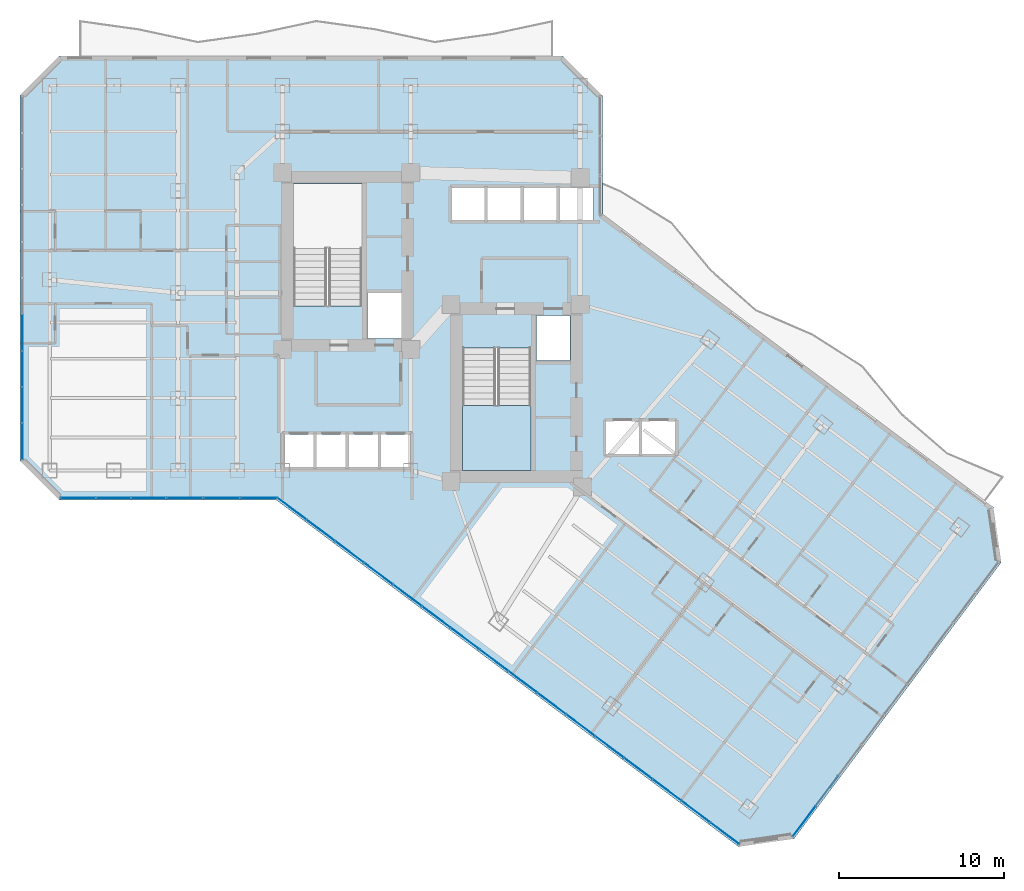
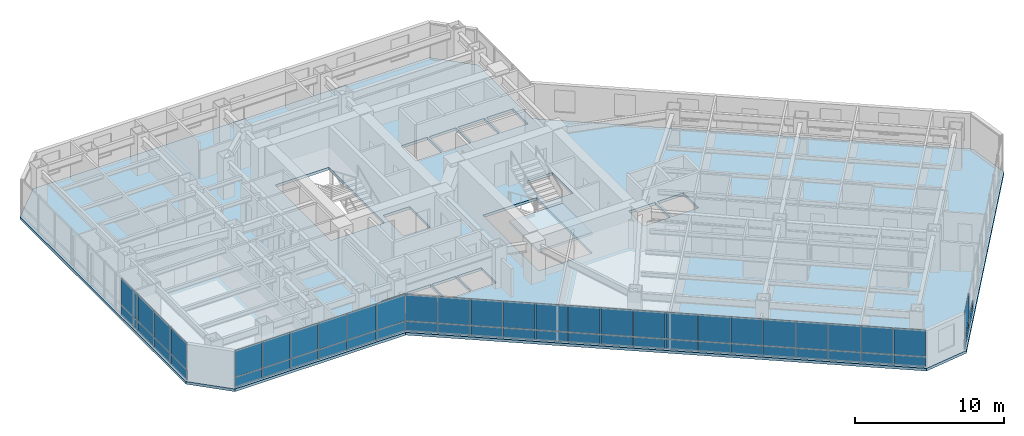
# One storey, part 26 of 36: 55 plates, 2 slabs, 6 elements without a shape of their own.
"""IFC4 building model written with IfcOpenShell, lengths in metres."""

from ifc_helpers import new_model, si_unit, direction, frame, origin, origin_2d, place, context, subcontext, project, spatial, polyline, rectangle, outline, extrude, material, layer, layer_set, type_object, element, aggregate, save


model = new_model("IFC4")

# Units and contexts
model_context = context("Model", 3, precision=1e-05, world=origin(), true_north=direction((0.0, 1.0)))
body_context = subcontext(model_context, "Body", "Model", "MODEL_VIEW")
ifc_project = project(units=[si_unit("LENGTHUNIT", "METRE"), si_unit("AREAUNIT", "SQUARE_METRE"), si_unit("VOLUMEUNIT", "CUBIC_METRE"), si_unit("PLANEANGLEUNIT", "RADIAN"), si_unit("MASSUNIT", "GRAM", prefix="KILO")], contexts=[model_context])

# Site, building, storey
site_placement = place(None, origin())
site = spatial("IfcSite", under=ifc_project, at=site_placement, CompositionType="ELEMENT")
building_placement = place(site_placement, origin())
building = spatial("IfcBuilding", under=site, at=building_placement, Name="Hatsunagi Terrace Concourse", CompositionType="ELEMENT")
storey_placement = place(building_placement, frame((0.0, 0.0, 88.0)))
storey = spatial("IfcBuildingStorey", under=building, at=storey_placement, Name="L23", CompositionType="ELEMENT", Elevation=88.0)

# Curtain wall, plates
ifc_material_1 = material(Name="Anodised Aluminium Alloy 6063-T5", Category="aluminium")
ifc_layer_1 = layer(ifc_material_1, 0.199951171875)
ifc_layer_set_1 = layer_set([ifc_layer_1], Name="HotelFacade_CW02")
curtain_wall_type = type_object("IfcCurtainWallType", Name="HotelFacade_CW02", PredefinedType="NOTDEFINED", material=ifc_layer_set_1)
curtain_wall_1_placement = place(storey_placement, origin())
curtain_wall_1 = element("IfcCurtainWall", 1, at=curtain_wall_1_placement, inside=storey, type_object=curtain_wall_type, Name="Unitised Curtain Wall CW-02 CW-L23-03", PredefinedType="NOTDEFINED")
ifc_material_2 = material(Name="Warm Terracotta Ceramic Spandrel Panel", Category="masonry")
ifc_layer_2 = layer(ifc_material_2, 0.031982421875)
ifc_layer_set_2 = layer_set([ifc_layer_2], Name="CurtainWallSpandrelPanel_32")
plate_type_1 = type_object("IfcPlateType", Name="CurtainWallSpandrelPanel_32", PredefinedType="SHEET", material=ifc_layer_set_2)
plate_1_placement = place(storey_placement, frame((58.65087890625, 5.735107421875, 0.030029296875), z_axis=(0.0, 0.0, 1.0), x_axis=(-0.599969314634, -0.800023013105, 0.0)))
plate_1 = element("IfcPlate", 2, at=plate_1_placement, type_object=plate_type_1, Name="Terracotta Spandrel Panel SPN-01", PredefinedType="SHEET", context=body_context, shape_type="SweptSolid", body=[
    extrude(rectangle(XDim=2.264892578125, YDim=0.031982421875, at=origin_2d()), origin(), (0.0, 0.0, 1.0), 0.7900390625),
])
plate_2_placement = place(storey_placement, frame((57.259033203125, 3.8779296875, 0.030029296875), z_axis=(0.0, 0.0, 1.0), x_axis=(-0.599969314634, -0.800023013105, 0.0)))
plate_2 = element("IfcPlate", 3, at=plate_2_placement, type_object=plate_type_1, Name="Terracotta Spandrel Panel SPN-01", PredefinedType="SHEET", context=body_context, shape_type="SweptSolid", body=[
    extrude(rectangle(XDim=2.264892578125, YDim=0.031982421875, at=origin_2d()), origin(), (0.0, 0.0, 1.0), 0.7900390625),
])

curtain_wall_2_placement = place(storey_placement, origin())
curtain_wall_2 = element("IfcCurtainWall", 4, at=curtain_wall_2_placement, inside=storey, type_object=curtain_wall_type, Name="Unitised Curtain Wall CW-02 CW-L23-05", PredefinedType="NOTDEFINED")
plate_3_placement = place(storey_placement, frame((52.44091796875, 3.14501953125, 0.030029296875), z_axis=(0.0, 0.0, 1.0), x_axis=(-0.800003116929, 0.599995844072, 0.0)))
plate_3 = element("IfcPlate", 5, at=plate_3_placement, type_object=plate_type_1, Name="Terracotta Spandrel Panel SPN-01", PredefinedType="SHEET", context=body_context, shape_type="SweptSolid", body=[
    extrude(rectangle(XDim=2.137939453125, YDim=0.031982421875, at=origin_2d()), origin(), (0.0, 0.0, 1.0), 0.7900390625),
])
plate_4_placement = place(storey_placement, frame((50.68603515625, 4.4609375, 0.030029296875), z_axis=(0.0, 0.0, 1.0), x_axis=(-0.800003116929, 0.599995844072, 0.0)))
plate_4 = element("IfcPlate", 6, at=plate_4_placement, type_object=plate_type_1, Name="Terracotta Spandrel Panel SPN-01", PredefinedType="SHEET", context=body_context, shape_type="SweptSolid", body=[
    extrude(rectangle(XDim=2.137939453125, YDim=0.031982421875, at=origin_2d()), origin(), (0.0, 0.0, 1.0), 0.7900390625),
])
plate_5_placement = place(storey_placement, frame((48.931884765625, 5.777099609375, 0.030029296875), z_axis=(0.0, 0.0, 1.0), x_axis=(-0.800003116929, 0.599995844072, 0.0)))
plate_5 = element("IfcPlate", 7, at=plate_5_placement, type_object=plate_type_1, Name="Terracotta Spandrel Panel SPN-01", PredefinedType="SHEET", context=body_context, shape_type="SweptSolid", body=[
    extrude(rectangle(XDim=2.137939453125, YDim=0.031982421875, at=origin_2d()), origin(), (0.0, 0.0, 1.0), 0.7900390625),
])
plate_6_placement = place(storey_placement, frame((47.177001953125, 7.092041015625, 0.030029296875), z_axis=(0.0, 0.0, 1.0), x_axis=(-0.800003116929, 0.599995844072, 0.0)))
plate_6 = element("IfcPlate", 8, at=plate_6_placement, type_object=plate_type_1, Name="Terracotta Spandrel Panel SPN-01", PredefinedType="SHEET", context=body_context, shape_type="SweptSolid", body=[
    extrude(rectangle(XDim=2.137939453125, YDim=0.031982421875, at=origin_2d()), origin(), (0.0, 0.0, 1.0), 0.7900390625),
])
plate_7_placement = place(storey_placement, frame((45.423095703125, 8.407958984375, 0.030029296875), z_axis=(0.0, 0.0, 1.0), x_axis=(-0.800003116929, 0.599995844072, 0.0)))
plate_7 = element("IfcPlate", 9, at=plate_7_placement, type_object=plate_type_1, Name="Terracotta Spandrel Panel SPN-01", PredefinedType="SHEET", context=body_context, shape_type="SweptSolid", body=[
    extrude(rectangle(XDim=2.137939453125, YDim=0.031982421875, at=origin_2d()), origin(), (0.0, 0.0, 1.0), 0.7900390625),
])
plate_8_placement = place(storey_placement, frame((43.6689453125, 9.72412109375, 0.030029296875), z_axis=(0.0, 0.0, 1.0), x_axis=(-0.800003116929, 0.599995844072, 0.0)))
plate_8 = element("IfcPlate", 10, at=plate_8_placement, type_object=plate_type_1, Name="Terracotta Spandrel Panel SPN-01", PredefinedType="SHEET", context=body_context, shape_type="SweptSolid", body=[
    extrude(rectangle(XDim=2.137939453125, YDim=0.031982421875, at=origin_2d()), origin(), (0.0, 0.0, 1.0), 0.7900390625),
])
plate_9_placement = place(storey_placement, frame((41.9140625, 11.0400390625, 0.030029296875), z_axis=(0.0, 0.0, 1.0), x_axis=(-0.800003116929, 0.599995844072, 0.0)))
plate_9 = element("IfcPlate", 11, at=plate_9_placement, type_object=plate_type_1, Name="Terracotta Spandrel Panel SPN-01", PredefinedType="SHEET", context=body_context, shape_type="SweptSolid", body=[
    extrude(rectangle(XDim=2.137939453125, YDim=0.031982421875, at=origin_2d()), origin(), (0.0, 0.0, 1.0), 0.7900390625),
])
plate_10_placement = place(storey_placement, frame((40.159912109375, 12.35595703125, 0.030029296875), z_axis=(0.0, 0.0, 1.0), x_axis=(-0.800003116929, 0.599995844072, 0.0)))
plate_10 = element("IfcPlate", 12, at=plate_10_placement, type_object=plate_type_1, Name="Terracotta Spandrel Panel SPN-01", PredefinedType="SHEET", context=body_context, shape_type="SweptSolid", body=[
    extrude(rectangle(XDim=2.137939453125, YDim=0.031982421875, at=origin_2d()), origin(), (0.0, 0.0, 1.0), 0.7900390625),
])
plate_11_placement = place(storey_placement, frame((38.405029296875, 13.6708984375, 0.030029296875), z_axis=(0.0, 0.0, 1.0), x_axis=(-0.800003116929, 0.599995844072, 0.0)))
plate_11 = element("IfcPlate", 13, at=plate_11_placement, type_object=plate_type_1, Name="Terracotta Spandrel Panel SPN-01", PredefinedType="SHEET", context=body_context, shape_type="SweptSolid", body=[
    extrude(rectangle(XDim=2.137939453125, YDim=0.031982421875, at=origin_2d()), origin(), (0.0, 0.0, 1.0), 0.7900390625),
])
plate_12_placement = place(storey_placement, frame((36.65087890625, 14.987060546875, 0.030029296875), z_axis=(0.0, 0.0, 1.0), x_axis=(-0.800003116929, 0.599995844072, 0.0)))
plate_12 = element("IfcPlate", 14, at=plate_12_placement, type_object=plate_type_1, Name="Terracotta Spandrel Panel SPN-01", PredefinedType="SHEET", context=body_context, shape_type="SweptSolid", body=[
    extrude(rectangle(XDim=2.137939453125, YDim=0.031982421875, at=origin_2d()), origin(), (0.0, 0.0, 1.0), 0.7900390625),
])
plate_13_placement = place(storey_placement, frame((34.89599609375, 16.302978515625, 0.030029296875), z_axis=(0.0, 0.0, 1.0), x_axis=(-0.800003116929, 0.599995844072, 0.0)))
plate_13 = element("IfcPlate", 15, at=plate_13_placement, type_object=plate_type_1, Name="Terracotta Spandrel Panel SPN-01", PredefinedType="SHEET", context=body_context, shape_type="SweptSolid", body=[
    extrude(rectangle(XDim=2.137939453125, YDim=0.031982421875, at=origin_2d()), origin(), (0.0, 0.0, 1.0), 0.7900390625),
])
plate_14_placement = place(storey_placement, frame((33.14208984375, 17.618896484375, 0.030029296875), z_axis=(0.0, 0.0, 1.0), x_axis=(-0.800003116929, 0.599995844072, 0.0)))
plate_14 = element("IfcPlate", 16, at=plate_14_placement, type_object=plate_type_1, Name="Terracotta Spandrel Panel SPN-01", PredefinedType="SHEET", context=body_context, shape_type="SweptSolid", body=[
    extrude(rectangle(XDim=2.137939453125, YDim=0.031982421875, at=origin_2d()), origin(), (0.0, 0.0, 1.0), 0.7900390625),
])
plate_15_placement = place(storey_placement, frame((31.387939453125, 18.93505859375, 0.030029296875), z_axis=(0.0, 0.0, 1.0), x_axis=(-0.800003116929, 0.599995844072, 0.0)))
plate_15 = element("IfcPlate", 17, at=plate_15_placement, type_object=plate_type_1, Name="Terracotta Spandrel Panel SPN-01", PredefinedType="SHEET", context=body_context, shape_type="SweptSolid", body=[
    extrude(rectangle(XDim=2.137939453125, YDim=0.031982421875, at=origin_2d()), origin(), (0.0, 0.0, 1.0), 0.7900390625),
])
plate_16_placement = place(storey_placement, frame((29.633056640625, 20.25, 0.030029296875), z_axis=(0.0, 0.0, 1.0), x_axis=(-0.800003116929, 0.599995844072, 0.0)))
plate_16 = element("IfcPlate", 18, at=plate_16_placement, type_object=plate_type_1, Name="Terracotta Spandrel Panel SPN-01", PredefinedType="SHEET", context=body_context, shape_type="SweptSolid", body=[
    extrude(rectangle(XDim=2.137939453125, YDim=0.031982421875, at=origin_2d()), origin(), (0.0, 0.0, 1.0), 0.7900390625),
])
plate_17_placement = place(storey_placement, frame((27.87890625, 21.56591796875, 0.030029296875), z_axis=(0.0, 0.0, 1.0), x_axis=(-0.800003116929, 0.599995844072, 0.0)))
plate_17 = element("IfcPlate", 19, at=plate_17_placement, type_object=plate_type_1, Name="Terracotta Spandrel Panel SPN-01", PredefinedType="SHEET", context=body_context, shape_type="SweptSolid", body=[
    extrude(rectangle(XDim=2.137939453125, YDim=0.031982421875, at=origin_2d()), origin(), (0.0, 0.0, 1.0), 0.7900390625),
])
plate_18_placement = place(storey_placement, frame((26.1240234375, 22.882080078125, 0.030029296875), z_axis=(0.0, 0.0, 1.0), x_axis=(-0.800003116929, 0.599995844072, 0.0)))
plate_18 = element("IfcPlate", 20, at=plate_18_placement, type_object=plate_type_1, Name="Terracotta Spandrel Panel SPN-01", PredefinedType="SHEET", context=body_context, shape_type="SweptSolid", body=[
    extrude(rectangle(XDim=2.137939453125, YDim=0.031982421875, at=origin_2d()), origin(), (0.0, 0.0, 1.0), 0.7900390625),
])

curtain_wall_3_placement = place(storey_placement, origin())
curtain_wall_3 = element("IfcCurtainWall", 21, at=curtain_wall_3_placement, inside=storey, type_object=curtain_wall_type, Name="Unitised Curtain Wall CW-02 CW-L23-06", PredefinedType="NOTDEFINED")
plate_19_placement = place(storey_placement, frame((24.1220703125, 23.5400390625, 0.030029296875), z_axis=(0.0, 0.0, 1.0), x_axis=(-1.0, 0.0, 0.0)))
plate_19 = element("IfcPlate", 22, at=plate_19_placement, type_object=plate_type_1, Name="Terracotta Spandrel Panel SPN-01", PredefinedType="SHEET", context=body_context, shape_type="SweptSolid", body=[
    extrude(rectangle(XDim=2.194091796875, YDim=0.031982421875, at=origin_2d()), origin(), (0.0, 0.0, 1.0), 0.7900390625),
])
plate_20_placement = place(storey_placement, frame((21.873046875, 23.5400390625, 0.030029296875), z_axis=(0.0, 0.0, 1.0), x_axis=(-1.0, 0.0, 0.0)))
plate_20 = element("IfcPlate", 23, at=plate_20_placement, type_object=plate_type_1, Name="Terracotta Spandrel Panel SPN-01", PredefinedType="SHEET", context=body_context, shape_type="SweptSolid", body=[
    extrude(rectangle(XDim=2.194091796875, YDim=0.031982421875, at=origin_2d()), origin(), (0.0, 0.0, 1.0), 0.7900390625),
])
plate_21_placement = place(storey_placement, frame((19.6240234375, 23.5400390625, 0.030029296875), z_axis=(0.0, 0.0, 1.0), x_axis=(-1.0, 0.0, 0.0)))
plate_21 = element("IfcPlate", 24, at=plate_21_placement, type_object=plate_type_1, Name="Terracotta Spandrel Panel SPN-01", PredefinedType="SHEET", context=body_context, shape_type="SweptSolid", body=[
    extrude(rectangle(XDim=2.194091796875, YDim=0.031982421875, at=origin_2d()), origin(), (0.0, 0.0, 1.0), 0.7900390625),
])

curtain_wall_4_placement = place(storey_placement, origin())
curtain_wall_4 = element("IfcCurtainWall", 25, at=curtain_wall_4_placement, inside=storey, type_object=curtain_wall_type, Name="Unitised Curtain Wall CW-02 CW-L23-07", PredefinedType="NOTDEFINED")
plate_22_placement = place(storey_placement, frame((17.426025390625, 23.5400390625, 0.030029296875), z_axis=(0.0, 0.0, 1.0), x_axis=(-1.0, 0.0, 0.0)))
plate_22 = element("IfcPlate", 26, at=plate_22_placement, type_object=plate_type_1, Name="Terracotta Spandrel Panel SPN-01", PredefinedType="SHEET", context=body_context, shape_type="SweptSolid", body=[
    extrude(rectangle(XDim=2.092041015625, YDim=0.031982421875, at=origin_2d()), origin(), (0.0, 0.0, 1.0), 0.7900390625),
])
plate_23_placement = place(storey_placement, frame((15.279052734375, 23.5400390625, 0.030029296875), z_axis=(0.0, 0.0, 1.0), x_axis=(-1.0, 0.0, 0.0)))
plate_23 = element("IfcPlate", 27, at=plate_23_placement, type_object=plate_type_1, Name="Terracotta Spandrel Panel SPN-01", PredefinedType="SHEET", context=body_context, shape_type="SweptSolid", body=[
    extrude(rectangle(XDim=2.092041015625, YDim=0.031982421875, at=origin_2d()), origin(), (0.0, 0.0, 1.0), 0.7900390625),
])
plate_24_placement = place(storey_placement, frame((13.132080078125, 23.5400390625, 0.030029296875), z_axis=(0.0, 0.0, 1.0), x_axis=(-1.0, 0.0, 0.0)))
plate_24 = element("IfcPlate", 28, at=plate_24_placement, type_object=plate_type_1, Name="Terracotta Spandrel Panel SPN-01", PredefinedType="SHEET", context=body_context, shape_type="SweptSolid", body=[
    extrude(rectangle(XDim=2.092041015625, YDim=0.031982421875, at=origin_2d()), origin(), (0.0, 0.0, 1.0), 0.7900390625),
])

curtain_wall_5_placement = place(storey_placement, origin())
curtain_wall_5 = element("IfcCurtainWall", 29, at=curtain_wall_5_placement, inside=storey, type_object=curtain_wall_type, Name="Unitised Curtain Wall CW-02 CW-L23-09", PredefinedType="NOTDEFINED")
plate_25_placement = place(storey_placement, frame((9.739990234375, 26.9619140625, 0.030029296875), z_axis=(0.0, 0.0, 1.0), x_axis=(0.0, 1.0, 0.0)))
plate_25 = element("IfcPlate", 30, at=plate_25_placement, type_object=plate_type_1, Name="Terracotta Spandrel Panel SPN-01", PredefinedType="SHEET", context=body_context, shape_type="SweptSolid", body=[
    extrude(rectangle(XDim=2.153076171875, YDim=0.031982421875, at=origin_2d()), origin(), (0.0, 0.0, 1.0), 0.7900390625),
])
plate_26_placement = place(storey_placement, frame((9.739990234375, 29.1708984375, 0.030029296875), z_axis=(0.0, 0.0, 1.0), x_axis=(0.0, 1.0, 0.0)))
plate_26 = element("IfcPlate", 31, at=plate_26_placement, type_object=plate_type_1, Name="Terracotta Spandrel Panel SPN-01", PredefinedType="SHEET", context=body_context, shape_type="SweptSolid", body=[
    extrude(rectangle(XDim=2.153076171875, YDim=0.031982421875, at=origin_2d()), origin(), (0.0, 0.0, 1.0), 0.7900390625),
])
plate_27_placement = place(storey_placement, frame((9.739990234375, 31.37890625, 0.030029296875), z_axis=(0.0, 0.0, 1.0), x_axis=(0.0, 1.0, 0.0)))
plate_27 = element("IfcPlate", 32, at=plate_27_placement, type_object=plate_type_1, Name="Terracotta Spandrel Panel SPN-01", PredefinedType="SHEET", context=body_context, shape_type="SweptSolid", body=[
    extrude(rectangle(XDim=2.153076171875, YDim=0.031982421875, at=origin_2d()), origin(), (0.0, 0.0, 1.0), 0.7900390625),
])
plate_28_placement = place(storey_placement, frame((9.739990234375, 33.5869140625, 0.030029296875), z_axis=(0.0, 0.0, 1.0), x_axis=(0.0, 1.0, 0.0)))
plate_28 = element("IfcPlate", 33, at=plate_28_placement, type_object=plate_type_1, Name="Terracotta Spandrel Panel SPN-01", PredefinedType="SHEET", context=body_context, shape_type="SweptSolid", body=[
    extrude(rectangle(XDim=2.153076171875, YDim=0.031982421875, at=origin_2d()), origin(), (0.0, 0.0, 1.0), 0.7900390625),
])

# Plate
ifc_material_3 = material(Name="Low-E Double Insulating Glass 28mm", Category="glass")
ifc_layer_3 = layer(ifc_material_3, 0.028076171875)
ifc_layer_set_3 = layer_set([ifc_layer_3], Name="CurtainWallVisionGlass_28")
plate_type_2 = type_object("IfcPlateType", Name="CurtainWallVisionGlass_28", PredefinedType="CURTAIN_PANEL", material=ifc_layer_set_3)
plate_29_placement = place(storey_placement, frame((57.259033203125, 3.8779296875, 0.8798828125), z_axis=(0.0, 0.0, 1.0), x_axis=(-0.599969314634, -0.800023013105, 0.0)))
plate_29 = element("IfcPlate", 34, at=plate_29_placement, type_object=plate_type_2, Name="Low-E Vision Glass Panel GLZ-01", PredefinedType="CURTAIN_PANEL", context=body_context, shape_type="SweptSolid", body=[
    extrude(rectangle(XDim=2.264892578125, YDim=0.028076171875, at=origin_2d()), origin(), (0.0, 0.0, 1.0), 2.139892578125),
])

aggregate(curtain_wall_1, [plate_1, plate_2, plate_29])

plate_30_placement = place(storey_placement, frame((52.44091796875, 3.14501953125, 0.8798828125), z_axis=(0.0, 0.0, 1.0), x_axis=(-0.800003116929, 0.599995844072, 0.0)))
plate_30 = element("IfcPlate", 35, at=plate_30_placement, type_object=plate_type_2, Name="Low-E Vision Glass Panel GLZ-01", PredefinedType="CURTAIN_PANEL", context=body_context, shape_type="SweptSolid", body=[
    extrude(rectangle(XDim=2.137939453125, YDim=0.028076171875, at=origin_2d()), origin(), (0.0, 0.0, 1.0), 2.139892578125),
])

plate_31_placement = place(storey_placement, frame((50.68603515625, 4.4609375, 0.8798828125), z_axis=(0.0, 0.0, 1.0), x_axis=(-0.800003116929, 0.599995844072, 0.0)))
plate_31 = element("IfcPlate", 36, at=plate_31_placement, type_object=plate_type_2, Name="Low-E Vision Glass Panel GLZ-01", PredefinedType="CURTAIN_PANEL", context=body_context, shape_type="SweptSolid", body=[
    extrude(rectangle(XDim=2.137939453125, YDim=0.028076171875, at=origin_2d()), origin(), (0.0, 0.0, 1.0), 2.139892578125),
])

plate_32_placement = place(storey_placement, frame((48.931884765625, 5.777099609375, 0.8798828125), z_axis=(0.0, 0.0, 1.0), x_axis=(-0.800003116929, 0.599995844072, 0.0)))
plate_32 = element("IfcPlate", 37, at=plate_32_placement, type_object=plate_type_2, Name="Low-E Vision Glass Panel GLZ-01", PredefinedType="CURTAIN_PANEL", context=body_context, shape_type="SweptSolid", body=[
    extrude(rectangle(XDim=2.137939453125, YDim=0.028076171875, at=origin_2d()), origin(), (0.0, 0.0, 1.0), 2.139892578125),
])

plate_33_placement = place(storey_placement, frame((47.177001953125, 7.092041015625, 0.8798828125), z_axis=(0.0, 0.0, 1.0), x_axis=(-0.800003116929, 0.599995844072, 0.0)))
plate_33 = element("IfcPlate", 38, at=plate_33_placement, type_object=plate_type_2, Name="Low-E Vision Glass Panel GLZ-01", PredefinedType="CURTAIN_PANEL", context=body_context, shape_type="SweptSolid", body=[
    extrude(rectangle(XDim=2.137939453125, YDim=0.028076171875, at=origin_2d()), origin(), (0.0, 0.0, 1.0), 2.139892578125),
])

plate_34_placement = place(storey_placement, frame((45.423095703125, 8.407958984375, 0.8798828125), z_axis=(0.0, 0.0, 1.0), x_axis=(-0.800003116929, 0.599995844072, 0.0)))
plate_34 = element("IfcPlate", 39, at=plate_34_placement, type_object=plate_type_2, Name="Low-E Vision Glass Panel GLZ-01", PredefinedType="CURTAIN_PANEL", context=body_context, shape_type="SweptSolid", body=[
    extrude(rectangle(XDim=2.137939453125, YDim=0.028076171875, at=origin_2d()), origin(), (0.0, 0.0, 1.0), 2.139892578125),
])

plate_35_placement = place(storey_placement, frame((43.6689453125, 9.72412109375, 0.8798828125), z_axis=(0.0, 0.0, 1.0), x_axis=(-0.800003116929, 0.599995844072, 0.0)))
plate_35 = element("IfcPlate", 40, at=plate_35_placement, type_object=plate_type_2, Name="Low-E Vision Glass Panel GLZ-01", PredefinedType="CURTAIN_PANEL", context=body_context, shape_type="SweptSolid", body=[
    extrude(rectangle(XDim=2.137939453125, YDim=0.028076171875, at=origin_2d()), origin(), (0.0, 0.0, 1.0), 2.139892578125),
])

plate_36_placement = place(storey_placement, frame((41.9140625, 11.0400390625, 0.8798828125), z_axis=(0.0, 0.0, 1.0), x_axis=(-0.800003116929, 0.599995844072, 0.0)))
plate_36 = element("IfcPlate", 41, at=plate_36_placement, type_object=plate_type_2, Name="Low-E Vision Glass Panel GLZ-01", PredefinedType="CURTAIN_PANEL", context=body_context, shape_type="SweptSolid", body=[
    extrude(rectangle(XDim=2.137939453125, YDim=0.028076171875, at=origin_2d()), origin(), (0.0, 0.0, 1.0), 2.139892578125),
])

plate_37_placement = place(storey_placement, frame((40.159912109375, 12.35595703125, 0.8798828125), z_axis=(0.0, 0.0, 1.0), x_axis=(-0.800003116929, 0.599995844072, 0.0)))
plate_37 = element("IfcPlate", 42, at=plate_37_placement, type_object=plate_type_2, Name="Low-E Vision Glass Panel GLZ-01", PredefinedType="CURTAIN_PANEL", context=body_context, shape_type="SweptSolid", body=[
    extrude(rectangle(XDim=2.137939453125, YDim=0.028076171875, at=origin_2d()), origin(), (0.0, 0.0, 1.0), 2.139892578125),
])

plate_38_placement = place(storey_placement, frame((38.405029296875, 13.6708984375, 0.8798828125), z_axis=(0.0, 0.0, 1.0), x_axis=(-0.800003116929, 0.599995844072, 0.0)))
plate_38 = element("IfcPlate", 43, at=plate_38_placement, type_object=plate_type_2, Name="Low-E Vision Glass Panel GLZ-01", PredefinedType="CURTAIN_PANEL", context=body_context, shape_type="SweptSolid", body=[
    extrude(rectangle(XDim=2.137939453125, YDim=0.028076171875, at=origin_2d()), origin(), (0.0, 0.0, 1.0), 2.139892578125),
])

plate_39_placement = place(storey_placement, frame((36.65087890625, 14.987060546875, 0.8798828125), z_axis=(0.0, 0.0, 1.0), x_axis=(-0.800003116929, 0.599995844072, 0.0)))
plate_39 = element("IfcPlate", 44, at=plate_39_placement, type_object=plate_type_2, Name="Low-E Vision Glass Panel GLZ-01", PredefinedType="CURTAIN_PANEL", context=body_context, shape_type="SweptSolid", body=[
    extrude(rectangle(XDim=2.137939453125, YDim=0.028076171875, at=origin_2d()), origin(), (0.0, 0.0, 1.0), 2.139892578125),
])

plate_40_placement = place(storey_placement, frame((34.89599609375, 16.302978515625, 0.8798828125), z_axis=(0.0, 0.0, 1.0), x_axis=(-0.800003116929, 0.599995844072, 0.0)))
plate_40 = element("IfcPlate", 45, at=plate_40_placement, type_object=plate_type_2, Name="Low-E Vision Glass Panel GLZ-01", PredefinedType="CURTAIN_PANEL", context=body_context, shape_type="SweptSolid", body=[
    extrude(rectangle(XDim=2.137939453125, YDim=0.028076171875, at=origin_2d()), origin(), (0.0, 0.0, 1.0), 2.139892578125),
])

plate_41_placement = place(storey_placement, frame((33.14208984375, 17.618896484375, 0.8798828125), z_axis=(0.0, 0.0, 1.0), x_axis=(-0.800003116929, 0.599995844072, 0.0)))
plate_41 = element("IfcPlate", 46, at=plate_41_placement, type_object=plate_type_2, Name="Low-E Vision Glass Panel GLZ-01", PredefinedType="CURTAIN_PANEL", context=body_context, shape_type="SweptSolid", body=[
    extrude(rectangle(XDim=2.137939453125, YDim=0.028076171875, at=origin_2d()), origin(), (0.0, 0.0, 1.0), 2.139892578125),
])

plate_42_placement = place(storey_placement, frame((31.387939453125, 18.93505859375, 0.8798828125), z_axis=(0.0, 0.0, 1.0), x_axis=(-0.800003116929, 0.599995844072, 0.0)))
plate_42 = element("IfcPlate", 47, at=plate_42_placement, type_object=plate_type_2, Name="Low-E Vision Glass Panel GLZ-01", PredefinedType="CURTAIN_PANEL", context=body_context, shape_type="SweptSolid", body=[
    extrude(rectangle(XDim=2.137939453125, YDim=0.028076171875, at=origin_2d()), origin(), (0.0, 0.0, 1.0), 2.139892578125),
])

plate_43_placement = place(storey_placement, frame((29.633056640625, 20.25, 0.8798828125), z_axis=(0.0, 0.0, 1.0), x_axis=(-0.800003116929, 0.599995844072, 0.0)))
plate_43 = element("IfcPlate", 48, at=plate_43_placement, type_object=plate_type_2, Name="Low-E Vision Glass Panel GLZ-01", PredefinedType="CURTAIN_PANEL", context=body_context, shape_type="SweptSolid", body=[
    extrude(rectangle(XDim=2.137939453125, YDim=0.028076171875, at=origin_2d()), origin(), (0.0, 0.0, 1.0), 2.139892578125),
])

plate_44_placement = place(storey_placement, frame((27.87890625, 21.56591796875, 0.8798828125), z_axis=(0.0, 0.0, 1.0), x_axis=(-0.800003116929, 0.599995844072, 0.0)))
plate_44 = element("IfcPlate", 49, at=plate_44_placement, type_object=plate_type_2, Name="Low-E Vision Glass Panel GLZ-01", PredefinedType="CURTAIN_PANEL", context=body_context, shape_type="SweptSolid", body=[
    extrude(rectangle(XDim=2.137939453125, YDim=0.028076171875, at=origin_2d()), origin(), (0.0, 0.0, 1.0), 2.139892578125),
])

plate_45_placement = place(storey_placement, frame((26.1240234375, 22.882080078125, 0.8798828125), z_axis=(0.0, 0.0, 1.0), x_axis=(-0.800003116929, 0.599995844072, 0.0)))
plate_45 = element("IfcPlate", 50, at=plate_45_placement, type_object=plate_type_2, Name="Low-E Vision Glass Panel GLZ-01", PredefinedType="CURTAIN_PANEL", context=body_context, shape_type="SweptSolid", body=[
    extrude(rectangle(XDim=2.137939453125, YDim=0.028076171875, at=origin_2d()), origin(), (0.0, 0.0, 1.0), 2.139892578125),
])

aggregate(curtain_wall_2, [plate_3, plate_30, plate_4, plate_31, plate_5, plate_32, plate_6, plate_33, plate_7, plate_34, plate_8, plate_35, plate_9, plate_36, plate_10, plate_37, plate_11, plate_38, plate_12, plate_39, plate_13, plate_40, plate_14, plate_41, plate_15, plate_42, plate_16, plate_43, plate_17, plate_44, plate_18, plate_45])

plate_46_placement = place(storey_placement, frame((24.1220703125, 23.5400390625, 0.8798828125), z_axis=(0.0, 0.0, 1.0), x_axis=(-1.0, 0.0, 0.0)))
plate_46 = element("IfcPlate", 51, at=plate_46_placement, type_object=plate_type_2, Name="Low-E Vision Glass Panel GLZ-01", PredefinedType="CURTAIN_PANEL", context=body_context, shape_type="SweptSolid", body=[
    extrude(rectangle(XDim=2.194091796875, YDim=0.028076171875, at=origin_2d()), origin(), (0.0, 0.0, 1.0), 2.139892578125),
])

plate_47_placement = place(storey_placement, frame((21.873046875, 23.5400390625, 0.8798828125), z_axis=(0.0, 0.0, 1.0), x_axis=(-1.0, 0.0, 0.0)))
plate_47 = element("IfcPlate", 52, at=plate_47_placement, type_object=plate_type_2, Name="Low-E Vision Glass Panel GLZ-01", PredefinedType="CURTAIN_PANEL", context=body_context, shape_type="SweptSolid", body=[
    extrude(rectangle(XDim=2.194091796875, YDim=0.028076171875, at=origin_2d()), origin(), (0.0, 0.0, 1.0), 2.139892578125),
])

plate_48_placement = place(storey_placement, frame((19.6240234375, 23.5400390625, 0.8798828125), z_axis=(0.0, 0.0, 1.0), x_axis=(-1.0, 0.0, 0.0)))
plate_48 = element("IfcPlate", 53, at=plate_48_placement, type_object=plate_type_2, Name="Low-E Vision Glass Panel GLZ-01", PredefinedType="CURTAIN_PANEL", context=body_context, shape_type="SweptSolid", body=[
    extrude(rectangle(XDim=2.194091796875, YDim=0.028076171875, at=origin_2d()), origin(), (0.0, 0.0, 1.0), 2.139892578125),
])

aggregate(curtain_wall_3, [plate_19, plate_46, plate_20, plate_47, plate_21, plate_48])

plate_49_placement = place(storey_placement, frame((17.426025390625, 23.5400390625, 0.8798828125), z_axis=(0.0, 0.0, 1.0), x_axis=(-1.0, 0.0, 0.0)))
plate_49 = element("IfcPlate", 54, at=plate_49_placement, type_object=plate_type_2, Name="Low-E Vision Glass Panel GLZ-01", PredefinedType="CURTAIN_PANEL", context=body_context, shape_type="SweptSolid", body=[
    extrude(rectangle(XDim=2.092041015625, YDim=0.028076171875, at=origin_2d()), origin(), (0.0, 0.0, 1.0), 2.139892578125),
])

plate_50_placement = place(storey_placement, frame((15.279052734375, 23.5400390625, 0.8798828125), z_axis=(0.0, 0.0, 1.0), x_axis=(-1.0, 0.0, 0.0)))
plate_50 = element("IfcPlate", 55, at=plate_50_placement, type_object=plate_type_2, Name="Low-E Vision Glass Panel GLZ-01", PredefinedType="CURTAIN_PANEL", context=body_context, shape_type="SweptSolid", body=[
    extrude(rectangle(XDim=2.092041015625, YDim=0.028076171875, at=origin_2d()), origin(), (0.0, 0.0, 1.0), 2.139892578125),
])

plate_51_placement = place(storey_placement, frame((13.132080078125, 23.5400390625, 0.8798828125), z_axis=(0.0, 0.0, 1.0), x_axis=(-1.0, 0.0, 0.0)))
plate_51 = element("IfcPlate", 56, at=plate_51_placement, type_object=plate_type_2, Name="Low-E Vision Glass Panel GLZ-01", PredefinedType="CURTAIN_PANEL", context=body_context, shape_type="SweptSolid", body=[
    extrude(rectangle(XDim=2.092041015625, YDim=0.028076171875, at=origin_2d()), origin(), (0.0, 0.0, 1.0), 2.139892578125),
])

aggregate(curtain_wall_4, [plate_22, plate_49, plate_23, plate_50, plate_24, plate_51])

plate_52_placement = place(storey_placement, frame((9.739990234375, 26.9619140625, 0.8798828125), z_axis=(0.0, 0.0, 1.0), x_axis=(0.0, 1.0, 0.0)))
plate_52 = element("IfcPlate", 57, at=plate_52_placement, type_object=plate_type_2, Name="Low-E Vision Glass Panel GLZ-01", PredefinedType="CURTAIN_PANEL", context=body_context, shape_type="SweptSolid", body=[
    extrude(rectangle(XDim=2.153076171875, YDim=0.028076171875, at=origin_2d()), origin(), (0.0, 0.0, 1.0), 2.139892578125),
])

plate_53_placement = place(storey_placement, frame((9.739990234375, 29.1708984375, 0.8798828125), z_axis=(0.0, 0.0, 1.0), x_axis=(0.0, 1.0, 0.0)))
plate_53 = element("IfcPlate", 58, at=plate_53_placement, type_object=plate_type_2, Name="Low-E Vision Glass Panel GLZ-01", PredefinedType="CURTAIN_PANEL", context=body_context, shape_type="SweptSolid", body=[
    extrude(rectangle(XDim=2.153076171875, YDim=0.028076171875, at=origin_2d()), origin(), (0.0, 0.0, 1.0), 2.139892578125),
])

plate_54_placement = place(storey_placement, frame((9.739990234375, 31.37890625, 0.8798828125), z_axis=(0.0, 0.0, 1.0), x_axis=(0.0, 1.0, 0.0)))
plate_54 = element("IfcPlate", 59, at=plate_54_placement, type_object=plate_type_2, Name="Low-E Vision Glass Panel GLZ-01", PredefinedType="CURTAIN_PANEL", context=body_context, shape_type="SweptSolid", body=[
    extrude(rectangle(XDim=2.153076171875, YDim=0.028076171875, at=origin_2d()), origin(), (0.0, 0.0, 1.0), 2.139892578125),
])

plate_55_placement = place(storey_placement, frame((9.739990234375, 33.5869140625, 0.8798828125), z_axis=(0.0, 0.0, 1.0), x_axis=(0.0, 1.0, 0.0)))
plate_55 = element("IfcPlate", 60, at=plate_55_placement, type_object=plate_type_2, Name="Low-E Vision Glass Panel GLZ-01", PredefinedType="CURTAIN_PANEL", context=body_context, shape_type="SweptSolid", body=[
    extrude(rectangle(XDim=2.153076171875, YDim=0.028076171875, at=origin_2d()), origin(), (0.0, 0.0, 1.0), 2.139892578125),
])

aggregate(curtain_wall_5, [plate_25, plate_52, plate_26, plate_53, plate_27, plate_54, plate_28, plate_55])

# Stair, slab
ifc_material_4 = material(Name="Concrete Fc42", Category="concrete")
stair_type = type_object("IfcStairType", Name="DoglegExitStair_Tower2000_20R_167", PredefinedType="HALF_TURN_STAIR", material=ifc_material_4)
stair_placement = place(storey_placement, origin())
stair = element("IfcStair", 61, at=stair_placement, inside=storey, type_object=stair_type, Name="L23 Core B Protected Exit Stair ST-B", PredefinedType="HALF_TURN_STAIR")
ifc_material_5 = material(Name="Concrete Fc42", Category="concrete")
ifc_layer_4 = layer(ifc_material_5, 0.199951171875)
ifc_layer_set_4 = layer_set([ifc_layer_4], Name="DoglegStairLanding_Tower2000")
slab_type_1 = type_object("IfcSlabType", Name="DoglegStairLanding_Tower2000", PredefinedType="LANDING", material=ifc_layer_set_4)
slab_1_placement = place(storey_placement, frame((0.0, 0.0, 1.47509765625)))
slab_1 = element("IfcSlab", 62, at=slab_1_placement, type_object=slab_type_1, Name="ST-B landing 1", PredefinedType="LANDING", context=body_context, shape_type="SweptSolid", body=[
    extrude(outline(polyline([(36.5, 29.14990234375), (36.5, 25.199951171875), (40.64990234375, 25.199951171875), (40.64990234375, 29.14990234375), (36.5, 29.14990234375)])), origin(), (0.0, 0.0, 1.0), 0.199951171875),
])
aggregate(stair, [slab_1])

# Slab
ifc_material_6 = material(Name="Concrete Fc42", Category="concrete")
ifc_layer_5 = layer(ifc_material_6, 0.219970703125)
ifc_layer_set_5 = layer_set([ifc_layer_5], Name="HotelFloorSlab_Fc42_220")
slab_type_2 = type_object("IfcSlabType", Name="HotelFloorSlab_Fc42_220", PredefinedType="FLOOR", material=ifc_layer_set_5)
slab_2_placement = place(storey_placement, frame((0.0, 0.0, -0.219970703125)))
element("IfcSlab", 63, at=slab_2_placement, inside=storey, type_object=slab_type_2, Name="Floor Slab SL-220 L23", PredefinedType="FLOOR", context=body_context, shape_type="SweptSolid", body=[
    extrude(outline(polyline([(45.0, 40.800048828125), (45.0, 48.0), (42.60009765625, 50.39990234375), (12.0, 50.39990234375), (9.60009765625, 48.0), (9.60009765625, 25.800048828125), (12.0, 23.39990234375), (25.199951171875, 23.39990234375), (53.280029296875, 2.340087890625), (56.639892578125, 2.820068359375), (69.239990234375, 19.6201171875), (68.760009765625, 22.97998046875), (45.0, 40.800048828125)]), holes=[polyline([(26.22998046875, 35.205078125), (30.3798828125, 35.205078125), (30.3798828125, 42.659912109375), (26.22998046875, 42.659912109375), (26.22998046875, 35.205078125)]), polyline([(36.5, 25.199951171875), (40.64990234375, 25.199951171875), (40.64990234375, 32.655029296875), (36.5, 32.655029296875), (36.5, 25.199951171875)]), polyline([(30.719970703125, 33.219970703125), (32.780029296875, 33.219970703125), (32.780029296875, 35.97998046875), (30.719970703125, 35.97998046875), (30.719970703125, 33.219970703125)]), polyline([(40.97998046875, 31.8798828125), (43.02001953125, 31.8798828125), (43.02001953125, 34.639892578125), (40.97998046875, 34.639892578125), (40.97998046875, 31.8798828125)]), polyline([(25.6201171875, 25.39990234375), (27.47998046875, 25.39990234375), (27.47998046875, 27.39990234375), (25.6201171875, 27.39990234375), (25.6201171875, 25.39990234375)]), polyline([(27.580078125, 25.39990234375), (29.43994140625, 25.39990234375), (29.43994140625, 27.39990234375), (27.580078125, 27.39990234375), (27.580078125, 25.39990234375)]), polyline([(29.5400390625, 25.39990234375), (31.39990234375, 25.39990234375), (31.39990234375, 27.39990234375), (29.5400390625, 27.39990234375), (29.5400390625, 25.39990234375)]), polyline([(31.5, 25.39990234375), (33.360107421875, 25.39990234375), (33.360107421875, 27.39990234375), (31.5, 27.39990234375), (31.5, 25.39990234375)]), polyline([(35.800048828125, 40.39990234375), (37.85009765625, 40.39990234375), (37.85009765625, 42.39990234375), (35.800048828125, 42.39990234375), (35.800048828125, 40.39990234375)]), polyline([(38.0, 40.39990234375), (40.050048828125, 40.39990234375), (40.050048828125, 42.39990234375), (38.0, 42.39990234375), (38.0, 40.39990234375)]), polyline([(40.199951171875, 40.39990234375), (42.25, 40.39990234375), (42.25, 42.39990234375), (40.199951171875, 42.39990234375), (40.199951171875, 40.39990234375)]), polyline([(42.39990234375, 40.39990234375), (44.449951171875, 40.39990234375), (44.449951171875, 42.39990234375), (42.39990234375, 42.39990234375), (42.39990234375, 40.39990234375)]), polyline([(45.199951171875, 26.199951171875), (47.25, 26.199951171875), (47.25, 28.199951171875), (45.199951171875, 28.199951171875), (45.199951171875, 26.199951171875)]), polyline([(47.39990234375, 26.199951171875), (49.449951171875, 26.199951171875), (49.449951171875, 28.199951171875), (47.39990234375, 28.199951171875), (47.39990234375, 26.199951171875)])]), origin(), (0.0, 0.0, 1.0), 0.219970703125),
])

save(model, "model.ifc")
